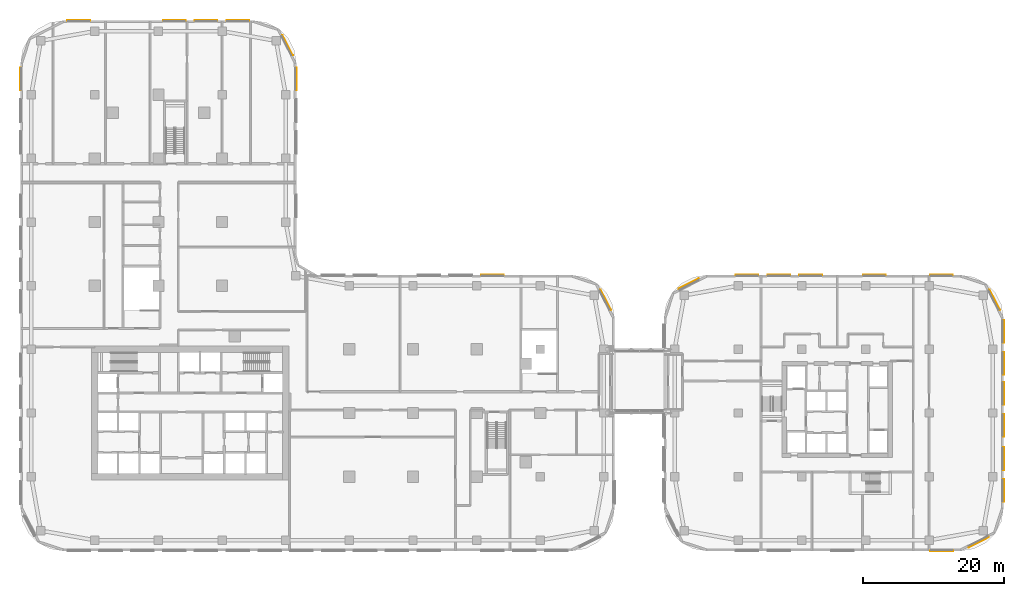
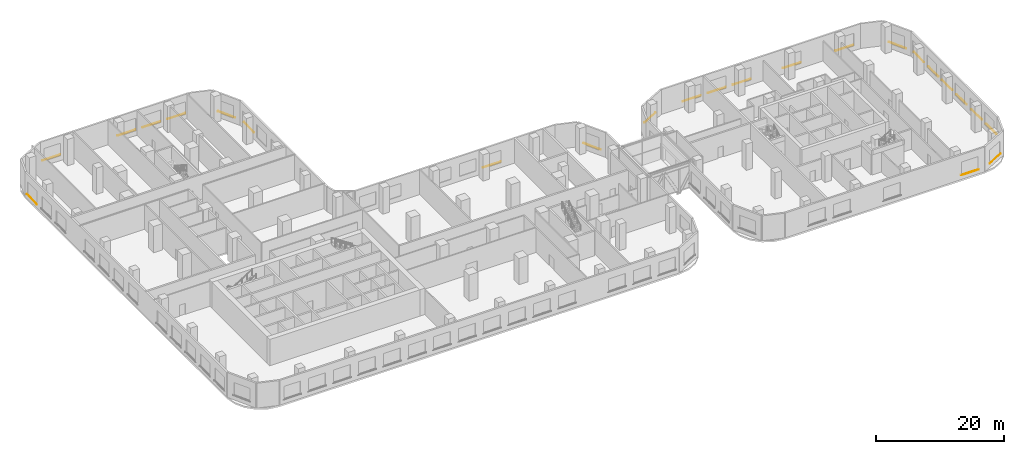
# One storey, part 33 of 33: 24 coverings.
"""IFC4 building model written with IfcOpenShell, lengths in metres."""

from ifc_helpers import new_model, si_unit, direction, frame, origin, origin_2d, place, context, subcontext, project, spatial, rectangle, extrude, material, layer, layer_set, type_object, element, save


model = new_model("IFC4")

# Units and contexts
model_context = context("Model", 3, precision=1e-05, world=origin(), true_north=direction((0.0, 1.0)))
body_context = subcontext(model_context, "Body", "Model", "MODEL_VIEW")
ifc_project = project(units=[si_unit("LENGTHUNIT", "METRE"), si_unit("AREAUNIT", "SQUARE_METRE"), si_unit("VOLUMEUNIT", "CUBIC_METRE"), si_unit("PLANEANGLEUNIT", "RADIAN"), si_unit("MASSUNIT", "GRAM", prefix="KILO")], contexts=[model_context])

# Site, building, storey
site_placement = place(None, origin())
site = spatial("IfcSite", under=ifc_project, at=site_placement, CompositionType="ELEMENT")
building_placement = place(site_placement, origin())
building = spatial("IfcBuilding", under=site, at=building_placement, Name="Ogive Portal Towers", CompositionType="ELEMENT")
storey_placement = place(building_placement, frame((0.0, 0.0, 28.5)))
storey = spatial("IfcBuildingStorey", under=building, at=storey_placement, Name="L05", CompositionType="ELEMENT", Elevation=28.5)

# Coverings
ifc_material = material(Name="Limestone cladding on lightweight block wall", Category="masonry")
ifc_layer = layer(ifc_material, 0.080078125)
ifc_layer_set = layer_set([ifc_layer], Name="STONE SILL 80")
covering_type = type_object("IfcCoveringType", Name="STONE SILL 80", PredefinedType="CLADDING", material=ifc_layer_set)
for number, where, z_axis, x_axis, name in (
    (1, (103.766357421875, 46.50927734375, 0.840087890625), (0.0, 0.0, 1.0), (-0.45399049974, 0.891006524188, 0.0), "Stone sill"),
    (2, (87.75, 50.0400390625, 0.840087890625), (0.0, 0.0, 1.0), (-1.0, 0.0, 0.0), "Stone sill"),
    (3, (60.0400390625, 77.75, 0.840087890625), (0.0, 0.0, 1.0), (0.0, 1.0, 0.0), "Stone sill"),
    (4, (58.766357421875, 82.50927734375, 0.840087890625), (0.0, 0.0, 1.0), (-0.45399049974, 0.891006524188, 0.0), "Stone sill"),
    (5, (51.726318359375, 86.0400390625, 0.840087890625), (0.0, 0.0, 1.0), (-1.0, 0.0, 0.0), "Stone sill"),
    (6, (47.25, 86.0400390625, 0.840087890625), (0.0, 0.0, 1.0), (-1.0, 0.0, 0.0), "Stone sill"),
    (7, (42.75, 86.0400390625, 0.840087890625), (0.0, 0.0, 1.0), (-1.0, 0.0, 0.0), "Stone sill"),
    (8, (29.226318359375, 86.0400390625, 0.840087890625), (0.0, 0.0, 1.0), (-1.0, 0.0, 0.0), "Stone sill"),
    (9, (20.9599609375, 77.726318359375, 0.840087890625), (0.0, 0.0, 1.0), (0.0, -1.0, 0.0), "Stone sill"),
    (10, (151.273681640625, 10.9599609375, 0.840087890625), (0.0, 0.0, 1.0), (1.0, 0.0, 0.0), "Stone sill"),
    (11, (156.50927734375, 12.233642578125, 0.840087890625), (0.0, 0.0, 1.0), (0.891006524188, 0.45399049974, 0.0), "Stone sill"),
    (12, (160.0400390625, 19.523681640625, 0.840087890625), (0.0, 0.0, 1.0), (0.0, 1.0, 0.0), "Stone sill"),
    (13, (160.0400390625, 24.023681640625, 0.840087890625), (0.0, 0.0, 1.0), (0.0, 1.0, 0.0), "Stone sill"),
    (14, (160.0400390625, 28.75, 0.840087890625), (0.0, 0.0, 1.0), (0.0, 1.0, 0.0), "Stone sill"),
    (15, (160.0400390625, 33.25, 0.840087890625), (0.0, 0.0, 1.0), (0.0, 1.0, 0.0), "Stone sill"),
    (16, (160.0400390625, 37.523681640625, 0.840087890625), (0.0, 0.0, 1.0), (0.0, 1.0, 0.0), "Stone sill"),
    (17, (160.0400390625, 42.023681640625, 0.840087890625), (0.0, 0.0, 1.0), (0.0, 1.0, 0.0), "Stone sill"),
    (18, (158.766357421875, 46.50927734375, 0.840087890625), (0.0, 0.0, 1.0), (-0.45399049974, 0.891006524188, 0.0), "Stone sill"),
    (19, (151.226318359375, 50.0400390625, 0.840087890625), (0.0, 0.0, 1.0), (-1.0, 0.0, 0.0), "Stone sill"),
    (20, (141.75, 50.0400390625, 0.840087890625), (0.0, 0.0, 1.0), (-1.0, 0.0, 0.0), "Stone sill"),
    (21, (132.75, 50.0400390625, 0.840087890625), (0.0, 0.0, 1.0), (-1.0, 0.0, 0.0), "Stone sill"),
    (22, (128.25, 50.0400390625, 0.840087890625), (0.0, 0.0, 1.0), (-1.0, 0.0, 0.0), "Stone sill"),
    (23, (123.75, 50.0400390625, 0.840087890625), (0.0, 0.0, 1.0), (-1.0, 0.0, 0.0), "Stone sill"),
    (24, (115.49072265625, 48.766357421875, 0.840087890625), (0.0, 0.0, 1.0), (-0.891006524188, -0.45399049974, 0.0), "Stone sill"),
):
    element("IfcCovering", number, at=place(storey_placement, frame(where, z_axis=z_axis, x_axis=x_axis)), inside=storey, type_object=covering_type, Name=name, PredefinedType="CLADDING", context=body_context, shape_type="SweptSolid", body=[
        extrude(rectangle(XDim=3.199951171875, YDim=0.080078125, at=origin_2d()), origin(), (0.0, 0.0, 1.0), 0.06005859375),
    ])

save(model, "model.ifc")
